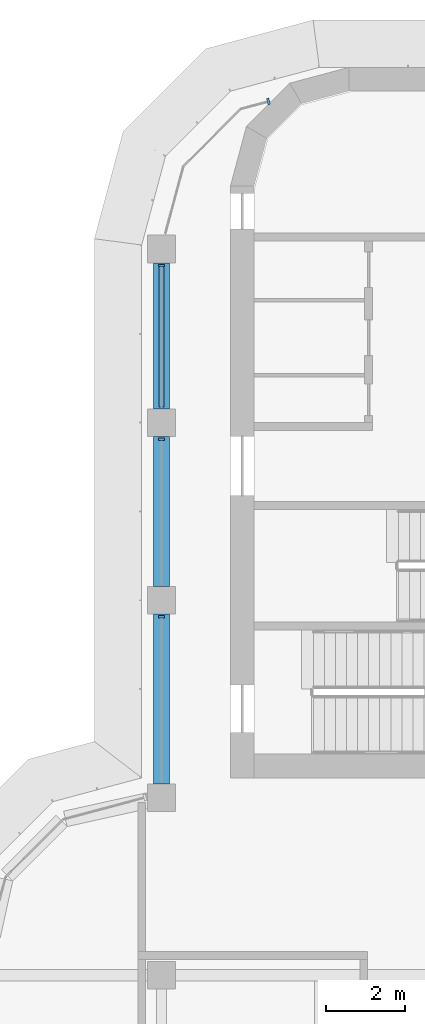
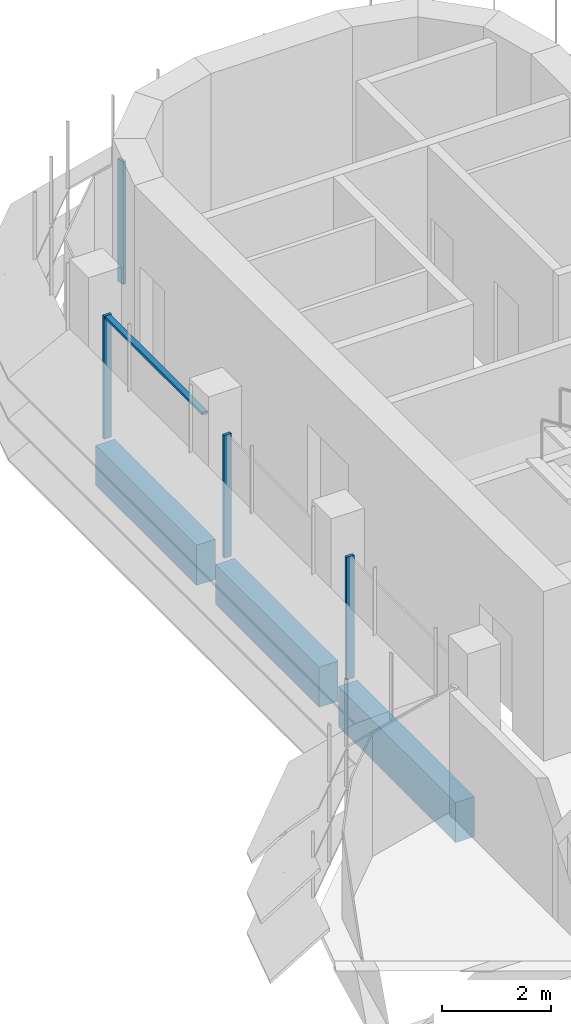
# One storey, part 7 of 19: 5 members, 3 beams, 2 elements without a shape of their own.
"""IFC4 building model written with IfcOpenShell, lengths in metres."""

import ifcopenshell
import ifcopenshell.guid

model = None  # the IFC model being written
_history = None  # IfcOwnerHistory: only IFC2X3 demands one
_inside = {}  # id of a spatial element -> (the spatial element, [elements in it])
_under = {}  # id of a project, library or spatial element -> (it, [spatial elements below it])
_declared = {}  # id of a project -> (the project, [libraries it declares])
_typed = {}  # id of a type object -> (the type object, [elements of that type])
_made_of = {}  # id of a material, layer set ... -> (it, [elements and type objects made of it])


def new_model(schema):
    """Start an empty IFC model of exactly this schema.

    Asked for "IFC4X3", IfcOpenShell would pick the latest addendum, in which some entities
    have other attributes; the version numbers below select the first issue.
    IFC2X3 requires an IfcOwnerHistory on every rooted entity: one is made here for all.
    """
    global model, _history
    if schema == "IFC4X3":
        model = ifcopenshell.file(schema_version=(4, 3, 0, 0))
    else:
        model = ifcopenshell.file(schema=schema)
    _inside.clear()
    _under.clear()
    _declared.clear()
    _typed.clear()
    _made_of.clear()
    _history = None
    if model.schema == "IFC2X3":
        org = make("IfcOrganization", Name="unknown")
        user = make(
            "IfcPersonAndOrganization",
            ThePerson=make("IfcPerson", FamilyName="unknown"),
            TheOrganization=org,
        )
        app = make(
            "IfcApplication",
            ApplicationDeveloper=org,
            Version="unknown",
            ApplicationFullName="unknown",
            ApplicationIdentifier="unknown",
        )
        _history = make(
            "IfcOwnerHistory",
            OwningUser=user,
            OwningApplication=app,
            ChangeAction="ADDED",
            CreationDate=0,
        )
    return model


def make(cls, **values):
    """One entity of the class cls with the attributes given. An attribute that is None is left unset."""
    return model.create_entity(
        cls, **{name: value for name, value in values.items() if value is not None}
    )


def rooted(cls, **values):
    """An entity with a GlobalId (a new one), such as an element, a storey or a relation."""
    return make(cls, GlobalId=ifcopenshell.guid.new(), OwnerHistory=_history, **values)


def si_unit(unit_type, name, prefix=None):
    """IfcSIUnit, for example si_unit("LENGTHUNIT", "METRE", prefix="MILLI")."""
    return make("IfcSIUnit", UnitType=unit_type, Prefix=prefix, Name=name)


def assignment(units):
    """IfcUnitAssignment: the units of a project."""
    return None if units is None else make("IfcUnitAssignment", Units=units)


def point(xyz):
    """IfcCartesianPoint."""
    return None if xyz is None else make("IfcCartesianPoint", Coordinates=xyz)


def direction(xyz):
    """IfcDirection."""
    return None if xyz is None else make("IfcDirection", DirectionRatios=xyz)


def frame(location, z_axis=None, x_axis=None):
    """IfcAxis2Placement3D, a coordinate frame: its origin and axes. An axis left out is left unset."""
    return make(
        "IfcAxis2Placement3D",
        Location=point(location),
        Axis=direction(z_axis),
        RefDirection=direction(x_axis),
    )


def frame_2d(location, x_axis=None):
    """IfcAxis2Placement2D, a coordinate frame in the plane: its origin and x axis."""
    return make(
        "IfcAxis2Placement2D", Location=point(location), RefDirection=direction(x_axis)
    )


def origin():
    """The frame at (0, 0, 0) with its axes left unset."""
    return frame((0.0, 0.0, 0.0))


def origin_2d():
    """The frame at (0, 0) in the plane with its x axis left unset."""
    return frame_2d((0.0, 0.0))


def place(relative_to, where):
    """IfcLocalPlacement: puts the frame where relative to a parent placement (None: the world)."""
    return make(
        "IfcLocalPlacement", PlacementRelTo=relative_to, RelativePlacement=where
    )


def context(
    kind, dimensions, precision=None, world=None, true_north=None, identifier=None
):
    """IfcGeometricRepresentationContext, for example the 3D "Model" context."""
    return make(
        "IfcGeometricRepresentationContext",
        ContextIdentifier=identifier,
        ContextType=kind,
        CoordinateSpaceDimension=dimensions,
        Precision=precision,
        WorldCoordinateSystem=world,
        TrueNorth=true_north,
    )


def subcontext(parent, identifier, kind, view, scale=None):
    """IfcGeometricRepresentationSubContext, for example "Body" below "Model"."""
    return make(
        "IfcGeometricRepresentationSubContext",
        ContextIdentifier=identifier,
        ContextType=kind,
        ParentContext=parent,
        TargetScale=scale,
        TargetView=view,
    )


def project(units=None, contexts=None):
    """IfcProject with its units and contexts."""
    return rooted(
        "IfcProject",
        Name="project",
        RepresentationContexts=contexts,
        UnitsInContext=assignment(units),
    )


def spatial(cls, under=None, at=None, **own):
    """A site, building, storey or space (cls), placed at a placement, below another one or the project."""
    s = rooted(cls, ObjectPlacement=at, **own)
    if under is not None:
        _under.setdefault(under.id(), (under, []))[1].append(s)
    return s


def polyline(points):
    """IfcPolyline through the points."""
    return make("IfcPolyline", Points=[point(p) for p in points])


def profile(cls, at=None, kind="AREA", **sizes):
    """A parametric profile (cls). Its sizes go by their IFC names, for example OverallWidth=200.0."""
    return make(cls, ProfileType=kind, Position=at, **sizes)


def rectangle(**sizes):
    """IfcRectangleProfileDef."""
    return profile("IfcRectangleProfileDef", **sizes)


def outline(outer, holes=None, kind="AREA"):
    """IfcArbitraryClosedProfileDef: a profile drawn as a closed curve; with holes, ...WithVoids."""
    if holes is None:
        return make("IfcArbitraryClosedProfileDef", ProfileType=kind, OuterCurve=outer)
    return make(
        "IfcArbitraryProfileDefWithVoids",
        ProfileType=kind,
        OuterCurve=outer,
        InnerCurves=holes,
    )


def extrude(swept, where, along, depth):
    """IfcExtrudedAreaSolid: the profile swept, set in the frame where, extruded along a direction by depth."""
    return make(
        "IfcExtrudedAreaSolid",
        SweptArea=swept,
        Position=where,
        ExtrudedDirection=direction(along),
        Depth=depth,
    )


def shape(context_of_items, identifier, shape_type, items):
    """IfcShapeRepresentation: the items that make up one representation, for example the "Body"."""
    return make(
        "IfcShapeRepresentation",
        ContextOfItems=context_of_items,
        RepresentationIdentifier=identifier,
        RepresentationType=shape_type,
        Items=items,
    )


def source(mapping_origin, context_of_items, identifier, shape_type, items):
    """IfcRepresentationMap: a shape defined once, which mapped items show again and again."""
    return make(
        "IfcRepresentationMap",
        MappingOrigin=mapping_origin,
        MappedRepresentation=shape(context_of_items, identifier, shape_type, items),
    )


def transform(
    local_origin,
    x_axis=None,
    y_axis=None,
    z_axis=None,
    scale=None,
    scale2=None,
    scale3=None,
    uniform=True,
):
    """IfcCartesianTransformationOperator3D, or its non-uniform kind. x_axis, y_axis, z_axis: its Axis1, 2, 3."""
    if uniform:
        return make(
            "IfcCartesianTransformationOperator3D",
            Axis1=direction(x_axis),
            Axis2=direction(y_axis),
            LocalOrigin=point(local_origin),
            Scale=scale,
            Axis3=direction(z_axis),
        )
    return make(
        "IfcCartesianTransformationOperator3DnonUniform",
        Axis1=direction(x_axis),
        Axis2=direction(y_axis),
        LocalOrigin=point(local_origin),
        Scale=scale,
        Axis3=direction(z_axis),
        Scale2=scale2,
        Scale3=scale3,
    )


def mapped(mapping_source, mapping_target):
    """IfcMappedItem: shows the shape of a source again, moved by a transform."""
    return make(
        "IfcMappedItem", MappingSource=mapping_source, MappingTarget=mapping_target
    )


def material(Name=None, Category=None):
    """IfcMaterial."""
    return make("IfcMaterial", Name=Name, Category=Category)


def material_profile(
    of_material, cross_section, Name=None, Category=None, Priority=None
):
    """IfcMaterialProfile: a cross section and its material."""
    return make(
        "IfcMaterialProfile",
        Name=Name,
        Material=of_material,
        Profile=cross_section,
        Priority=Priority,
        Category=Category,
    )


def profile_set(profiles, Name=None, composite=None):
    """IfcMaterialProfileSet."""
    return make(
        "IfcMaterialProfileSet",
        Name=Name,
        MaterialProfiles=profiles,
        CompositeProfile=composite,
    )


def made_of(thing, what):
    """Note that an element or type object is made of a material, layer set ...; save() writes the relation."""
    if what is not None:
        _made_of.setdefault(what.id(), (what, []))[1].append(thing)
    return thing


def type_object(cls, material=None, **own):
    """A type object (cls), such as IfcWallType, which elements share."""
    return made_of(rooted(cls, **own), material)


def element(
    cls,
    number,
    at=None,
    inside=None,
    cuts=None,
    type_object=None,
    material=None,
    context=None,
    identifier="Body",
    shape_type=None,
    held_by="IfcProductDefinitionShape",
    body=None,
    shapes=None,
    **own,
):
    """One element of the class cls, such as IfcWall. Its Tag is "e" and its number.

    at: its placement. inside: the storey or other place that contains it. cuts: it is an
    opening in that element (IfcRelVoidsElement). A single representation is given by context,
    identifier, shape_type and body (its items); several are given by shapes. held_by: the class
    of the entity that holds the representations. save() writes the other relations.
    """
    e = rooted(cls, Tag="e%d" % number, ObjectPlacement=at, **own)
    if body is not None:
        shapes = [shape(context, identifier, shape_type, body)]
    if shapes is not None:
        e.Representation = make(held_by, Representations=shapes)
    if inside is not None:
        _inside.setdefault(inside.id(), (inside, []))[1].append(e)
    if cuts is not None:
        rooted(
            "IfcRelVoidsElement", RelatingBuildingElement=cuts, RelatedOpeningElement=e
        )
    if type_object is not None:
        _typed.setdefault(type_object.id(), (type_object, []))[1].append(e)
    return made_of(e, material)


def aggregate(whole, parts):
    """IfcRelAggregates: a whole, such as a stair, and the parts it consists of."""
    return rooted("IfcRelAggregates", RelatingObject=whole, RelatedObjects=parts)


def save(model, path):
    """Write the relations noted so far, then the file.

    IfcRelAggregates (storeys below a building ...), IfcRelContainedInSpatialStructure (elements
    in a storey), IfcRelDefinesByType, IfcRelAssociatesMaterial and IfcRelDeclares: one each for
    every whole, place, type object, material and project.
    """
    for whole, parts in _under.values():
        aggregate(whole, parts)
    for where, things in _inside.values():
        rooted(
            "IfcRelContainedInSpatialStructure",
            RelatedElements=things,
            RelatingStructure=where,
        )
    for kind, things in _typed.values():
        rooted("IfcRelDefinesByType", RelatedObjects=things, RelatingType=kind)
    for what, things in _made_of.values():
        rooted("IfcRelAssociatesMaterial", RelatedObjects=things, RelatingMaterial=what)
    for by, libraries in _declared.values():
        rooted("IfcRelDeclares", RelatingContext=by, RelatedDefinitions=libraries)
    model.write(path)


model = new_model("IFC4")

# Units and contexts
model_context = context("Model", 3, precision=1e-05, world=origin(), true_north=direction((0.0, 1.0)))
body_context = subcontext(model_context, "Body", "Model", "MODEL_VIEW")
ifc_project = project(units=[si_unit("LENGTHUNIT", "METRE"), si_unit("AREAUNIT", "SQUARE_METRE"), si_unit("VOLUMEUNIT", "CUBIC_METRE"), si_unit("PLANEANGLEUNIT", "RADIAN"), si_unit("MASSUNIT", "GRAM", prefix="KILO")], contexts=[model_context])

# Site, building, storey
site_placement = place(None, origin())
site = spatial("IfcSite", under=ifc_project, at=site_placement, CompositionType="ELEMENT")
building_placement = place(site_placement, origin())
building = spatial("IfcBuilding", under=site, at=building_placement, Name="Zarbagh Exchange Tower", CompositionType="ELEMENT")
storey_placement = place(building_placement, frame((0.0, 0.0, 225.800048828125)))
storey = spatial("IfcBuildingStorey", under=building, at=storey_placement, Name="L55", CompositionType="ELEMENT", Elevation=225.800048828125)

# Beams
ifc_material_1 = material(Name="Concrete C50/60", Category="concrete")
ifc_material_profile = material_profile(ifc_material_1, rectangle(XDim=0.39990234375, YDim=0.89990234375, at=origin_2d()), Name="RC spandrel beam 400 x 900 C50/60")
ifc_profile_set = profile_set([ifc_material_profile], Name="Concrete C50/60")
beam_type = type_object("IfcBeamType", Name="RC spandrel beam 400 x 900 C50/60", PredefinedType="SPANDREL", material=ifc_profile_set)
beam_1_placement = place(storey_placement, frame((-6.25, 11.10009765625, -0.60009765625), z_axis=(0.0, 1.0, 0.0), x_axis=(-1.0, 0.0, 0.0)))
element("IfcBeam", 1, at=beam_1_placement, inside=storey, type_object=beam_type, Name="RC spandrel beam", PredefinedType="SPANDREL", context=body_context, shape_type="SweptSolid", body=[
    extrude(rectangle(XDim=0.39990234375, YDim=0.89990234375, at=origin_2d()), origin(), (0.0, 0.0, 1.0), 4.2998046875),
])
beam_2_placement = place(storey_placement, frame((-6.25, 16.10009765625, -0.60009765625), z_axis=(0.0, 1.0, 0.0), x_axis=(-1.0, 0.0, 0.0)))
element("IfcBeam", 2, at=beam_2_placement, inside=storey, type_object=beam_type, Name="RC spandrel beam", PredefinedType="SPANDREL", context=body_context, shape_type="SweptSolid", body=[
    extrude(rectangle(XDim=0.39990234375, YDim=0.89990234375, at=origin_2d()), origin(), (0.0, 0.0, 1.0), 3.7998046875),
])
beam_3_placement = place(storey_placement, frame((-6.25, 20.60009765625, -0.60009765625), z_axis=(0.0, 1.0, 0.0), x_axis=(-1.0, 0.0, 0.0)))
element("IfcBeam", 3, at=beam_3_placement, inside=storey, type_object=beam_type, Name="RC spandrel beam", PredefinedType="SPANDREL", context=body_context, shape_type="SweptSolid", body=[
    extrude(rectangle(XDim=0.39990234375, YDim=0.89990234375, at=origin_2d()), origin(), (0.0, 0.0, 1.0), 3.699951171875),
])

# Curtain wall, member
ifc_material_2 = material(Name="Anodised aluminium frame and glazing", Category="aluminium")
curtain_wall_type = type_object("IfcCurtainWallType", Name="CWB Ribbon glazing, upper zones", PredefinedType="NOTDEFINED", material=ifc_material_2)
curtain_wall_1_placement = place(storey_placement, origin())
curtain_wall_1 = element("IfcCurtainWall", 4, at=curtain_wall_1_placement, inside=storey, type_object=curtain_wall_type, Name="CWB70 curtain wall", PredefinedType="NOTDEFINED")
ifc_material_3 = material(Name="Anodised aluminium frame", Category="aluminium")
member_type_1 = type_object("IfcMemberType", Name="MUB Mullion, anodised aluminium frame", PredefinedType="MULLION", material=ifc_material_3)
shared_shape_1 = source(origin(), body_context, "Body", "SweptSolid", [
    extrude(outline(polyline([(0.0, -0.080078125), (0.06005859375, -0.080078125), (0.06005859375, 0.080078125), (0.0, 0.080078125), (0.0, -0.080078125)])), origin(), (0.0, 0.0, 1.0), 2.75),
])
placement = place(storey_placement, origin())
member_1 = element("IfcMember", 5, at=placement, type_object=member_type_1, Name="CWB70 mullion 1.1", PredefinedType="MULLION", context=body_context, shape_type="MappedRepresentation", body=[
    mapped(shared_shape_1, transform((-3.510009765625, 28.394775390625, 0.0), x_axis=(-0.965924289636, -0.258824779902, 0.0), y_axis=(0.258824779902, -0.965924289636, 0.0), z_axis=(0.0, 0.0, 1.0))),
])
aggregate(curtain_wall_1, [member_1])

# Curtain wall, members
curtain_wall_2_placement = place(storey_placement, origin())
curtain_wall_2 = element("IfcCurtainWall", 6, at=curtain_wall_2_placement, inside=storey, type_object=curtain_wall_type, Name="CWB73 curtain wall", PredefinedType="NOTDEFINED")
member_2 = element("IfcMember", 7, at=placement, type_object=member_type_1, Name="CWB73 mullion 1.1", PredefinedType="MULLION", context=body_context, shape_type="MappedRepresentation", body=[
    mapped(shared_shape_1, transform((-6.25, 24.260009765625, 0.0), x_axis=(0.0, -1.0, 0.0), y_axis=(1.0, 0.0, 0.0), z_axis=(0.0, 0.0, 1.0))),
])
member_3 = element("IfcMember", 8, at=placement, type_object=member_type_1, Name="CWB73 mullion 2.1", PredefinedType="MULLION", context=body_context, shape_type="MappedRepresentation", body=[
    mapped(shared_shape_1, transform((-6.25, 19.85986328125, 0.0), x_axis=(0.0, -1.0, 0.0), y_axis=(1.0, 0.0, 0.0), z_axis=(0.0, 0.0, 1.0))),
])
member_4 = element("IfcMember", 9, at=placement, type_object=member_type_1, Name="CWB73 mullion 3.1", PredefinedType="MULLION", context=body_context, shape_type="MappedRepresentation", body=[
    mapped(shared_shape_1, transform((-6.25, 15.35986328125, 0.0), x_axis=(0.0, -1.0, 0.0), y_axis=(1.0, 0.0, 0.0), z_axis=(0.0, 0.0, 1.0))),
])
member_type_2 = type_object("IfcMemberType", Name="TRB Transom, anodised aluminium frame", PredefinedType="USERDEFINED", material=ifc_material_3)
shared_shape_2 = source(origin(), body_context, "Body", "SweptSolid", [
    extrude(outline(polyline([(-0.06005859375, -0.06005859375), (0.0, -0.06005859375), (0.0, 0.06005859375), (-0.06005859375, 0.06005859375), (-0.06005859375, -0.06005859375)])), origin(), (0.0, 0.0, 1.0), 3.56005859375),
])
member_5 = element("IfcMember", 10, at=placement, type_object=member_type_2, Name="CWB73 transom 1.1", ObjectType="TRANSOM", PredefinedType="USERDEFINED", context=body_context, shape_type="MappedRepresentation", body=[
    mapped(shared_shape_2, transform((-6.25, 24.199951171875, 2.75), x_axis=(0.0, 0.0, 1.0), y_axis=(-1.0, 0.0, 0.0), z_axis=(0.0, -1.0, 0.0))),
])
aggregate(curtain_wall_2, [member_2, member_5, member_3, member_4])

save(model, "model.ifc")
